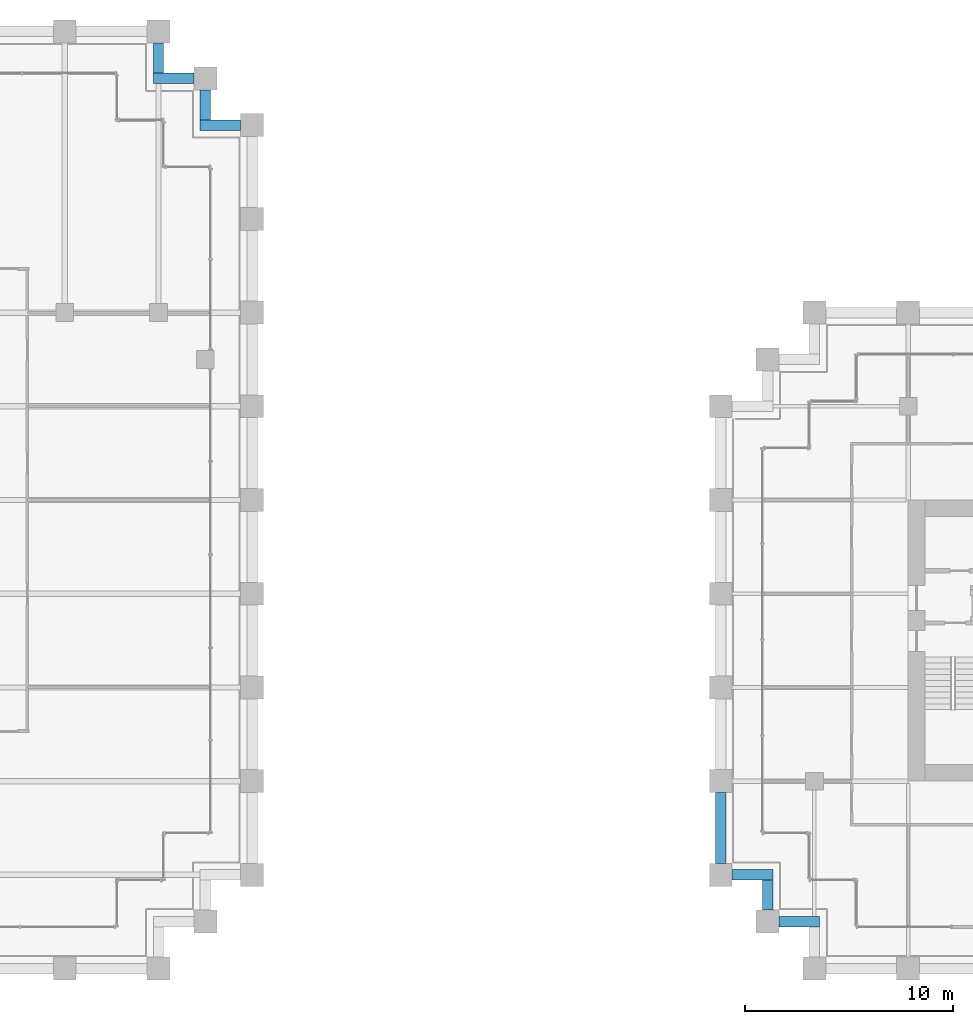
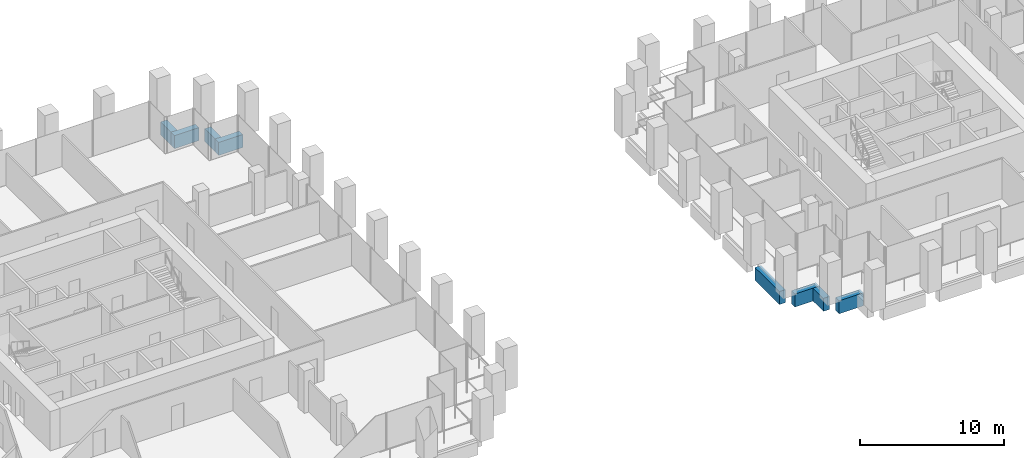
# One storey, part 33 of 56: 8 beams.
"""IFC4 building model written with IfcOpenShell, lengths in metres."""

from ifc_helpers import new_model, si_unit, direction, frame, origin, origin_2d, place, context, subcontext, project, spatial, rectangle, extrude, material, material_profile, profile_set, type_object, element, save


model = new_model("IFC4")

# Units and contexts
model_context = context("Model", 3, precision=1e-05, world=origin(), true_north=direction((0.0, 1.0)))
body_context = subcontext(model_context, "Body", "Model", "MODEL_VIEW")
ifc_project = project(units=[si_unit("LENGTHUNIT", "METRE"), si_unit("AREAUNIT", "SQUARE_METRE"), si_unit("VOLUMEUNIT", "CUBIC_METRE"), si_unit("PLANEANGLEUNIT", "RADIAN"), si_unit("MASSUNIT", "GRAM", prefix="KILO")], contexts=[model_context])

# Site, building, storey
site_placement = place(None, origin())
site = spatial("IfcSite", under=ifc_project, at=site_placement, CompositionType="ELEMENT")
building_placement = place(site_placement, origin())
building = spatial("IfcBuilding", under=site, at=building_placement, Name="Altepetl Exchange Towers", CompositionType="ELEMENT")
storey_placement = place(building_placement, frame((0.0, 0.0, 54.60009765625)))
storey = spatial("IfcBuildingStorey", under=building, at=storey_placement, Name="L12", CompositionType="ELEMENT", Elevation=54.60009765625)

# Beams
ifc_material_1 = material(Name="Concrete C50/60 precast with cantera rosa facing", Category="concrete")
ifc_material_profile_1 = material_profile(ifc_material_1, rectangle(XDim=0.5, YDim=1.10009765625, at=origin_2d()), Name="500 x 1100")
ifc_profile_set_1 = profile_set([ifc_material_profile_1], Name="Concrete C50/60 precast with cantera rosa facing")
beam_type_1 = type_object("IfcBeamType", Name="Spandrel beam 500x1100 cantera rosa", PredefinedType="SPANDREL", material=ifc_profile_set_1)
beam_1_placement = place(storey_placement, frame((71.449951171875, 67.5, -0.7001953125), z_axis=(-1.0, 0.0, 0.0), x_axis=(0.0, -1.0, 0.0)))
element("IfcBeam", 1, at=beam_1_placement, inside=storey, type_object=beam_type_1, Name="sp:A:L12:020", PredefinedType="SPANDREL", context=body_context, shape_type="SweptSolid", body=[
    extrude(rectangle(XDim=0.5, YDim=1.10009765625, at=origin_2d()), origin(), (0.0, 0.0, 1.0), 1.949951171875),
])
beam_2_placement = place(storey_placement, frame((69.75, 67.75, -0.7001953125), z_axis=(0.0, 1.0, 0.0), x_axis=(-1.0, 0.0, 0.0)))
element("IfcBeam", 2, at=beam_2_placement, inside=storey, type_object=beam_type_1, Name="sp:A:L12:021", PredefinedType="SPANDREL", context=body_context, shape_type="SweptSolid", body=[
    extrude(rectangle(XDim=0.5, YDim=1.10009765625, at=origin_2d()), origin(), (0.0, 0.0, 1.0), 1.449951171875),
])
beam_3_placement = place(storey_placement, frame((69.199951171875, 69.75, -0.7001953125), z_axis=(-1.0, 0.0, 0.0), x_axis=(0.0, -1.0, 0.0)))
element("IfcBeam", 3, at=beam_3_placement, inside=storey, type_object=beam_type_1, Name="sp:A:L12:022", PredefinedType="SPANDREL", context=body_context, shape_type="SweptSolid", body=[
    extrude(rectangle(XDim=0.5, YDim=1.10009765625, at=origin_2d()), origin(), (0.0, 0.0, 1.0), 1.949951171875),
])
beam_4_placement = place(storey_placement, frame((67.5, 70.0, -0.7001953125), z_axis=(0.0, 1.0, 0.0), x_axis=(-1.0, 0.0, 0.0)))
element("IfcBeam", 4, at=beam_4_placement, inside=storey, type_object=beam_type_1, Name="sp:A:L12:023", PredefinedType="SPANDREL", context=body_context, shape_type="SweptSolid", body=[
    extrude(rectangle(XDim=0.5, YDim=1.10009765625, at=origin_2d()), origin(), (0.0, 0.0, 1.0), 1.449951171875),
])
ifc_material_2 = material(Name="Concrete C50/60 precast with tezontle facing", Category="concrete")
ifc_material_profile_2 = material_profile(ifc_material_2, rectangle(XDim=0.5, YDim=1.10009765625, at=origin_2d()), Name="500 x 1100")
ifc_profile_set_2 = profile_set([ifc_material_profile_2], Name="Concrete C50/60 precast with tezontle facing")
beam_type_2 = type_object("IfcBeamType", Name="Spandrel beam 500x1100 tezontle", PredefinedType="SPANDREL", material=ifc_profile_set_2)
beam_5_placement = place(storey_placement, frame((94.5, 35.449951171875, -0.7001953125), z_axis=(0.0, -1.0, 0.0), x_axis=(1.0, 0.0, 0.0)))
element("IfcBeam", 5, at=beam_5_placement, inside=storey, type_object=beam_type_2, Name="sp:B:L12:031", PredefinedType="SPANDREL", context=body_context, shape_type="SweptSolid", body=[
    extrude(rectangle(XDim=0.5, YDim=1.10009765625, at=origin_2d()), origin(), (0.0, 0.0, 1.0), 3.39990234375),
])
beam_6_placement = place(storey_placement, frame((95.050048828125, 31.5, -0.7001953125), z_axis=(1.0, 0.0, 0.0), x_axis=(0.0, 1.0, 0.0)))
element("IfcBeam", 6, at=beam_6_placement, inside=storey, type_object=beam_type_2, Name="sp:B:L12:032", PredefinedType="SPANDREL", context=body_context, shape_type="SweptSolid", body=[
    extrude(rectangle(XDim=0.5, YDim=1.10009765625, at=origin_2d()), origin(), (0.0, 0.0, 1.0), 1.949951171875),
])
beam_7_placement = place(storey_placement, frame((96.75, 31.25, -0.7001953125), z_axis=(0.0, -1.0, 0.0), x_axis=(1.0, 0.0, 0.0)))
element("IfcBeam", 7, at=beam_7_placement, inside=storey, type_object=beam_type_2, Name="sp:B:L12:033", PredefinedType="SPANDREL", context=body_context, shape_type="SweptSolid", body=[
    extrude(rectangle(XDim=0.5, YDim=1.10009765625, at=origin_2d()), origin(), (0.0, 0.0, 1.0), 1.449951171875),
])
beam_8_placement = place(storey_placement, frame((97.300048828125, 29.25, -0.7001953125), z_axis=(1.0, 0.0, 0.0), x_axis=(0.0, 1.0, 0.0)))
element("IfcBeam", 8, at=beam_8_placement, inside=storey, type_object=beam_type_2, Name="sp:B:L12:034", PredefinedType="SPANDREL", context=body_context, shape_type="SweptSolid", body=[
    extrude(rectangle(XDim=0.5, YDim=1.10009765625, at=origin_2d()), origin(), (0.0, 0.0, 1.0), 1.949951171875),
])

save(model, "model.ifc")
